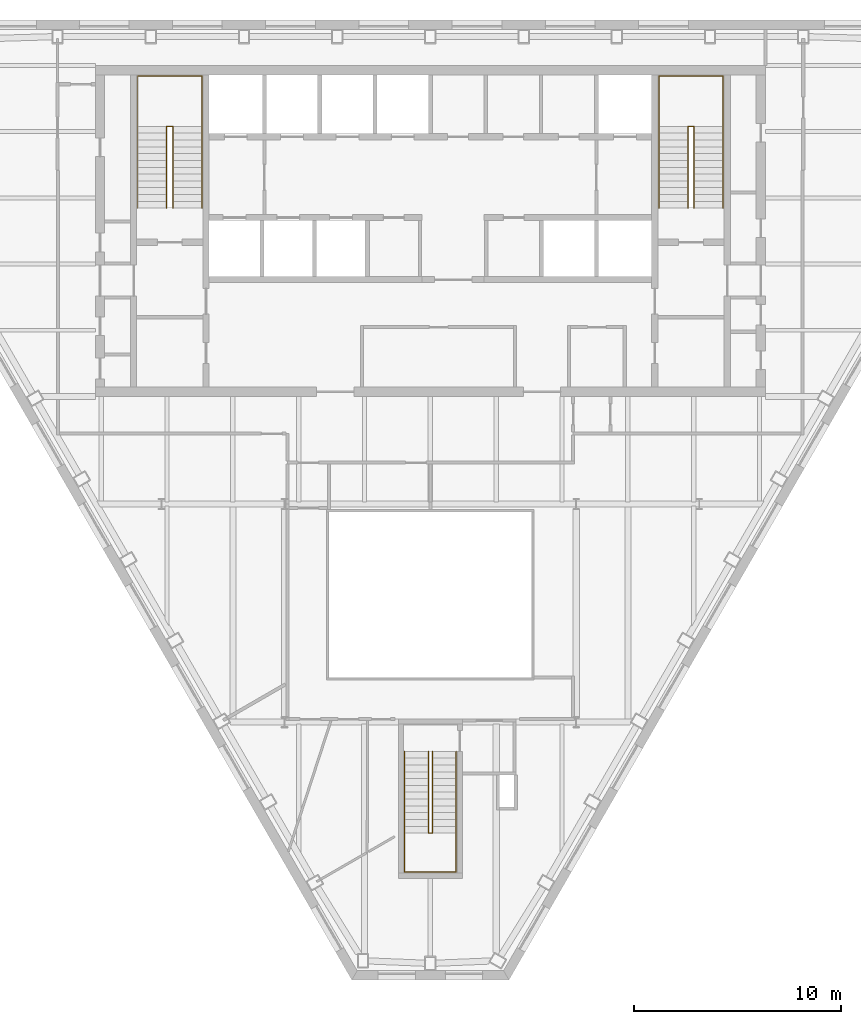
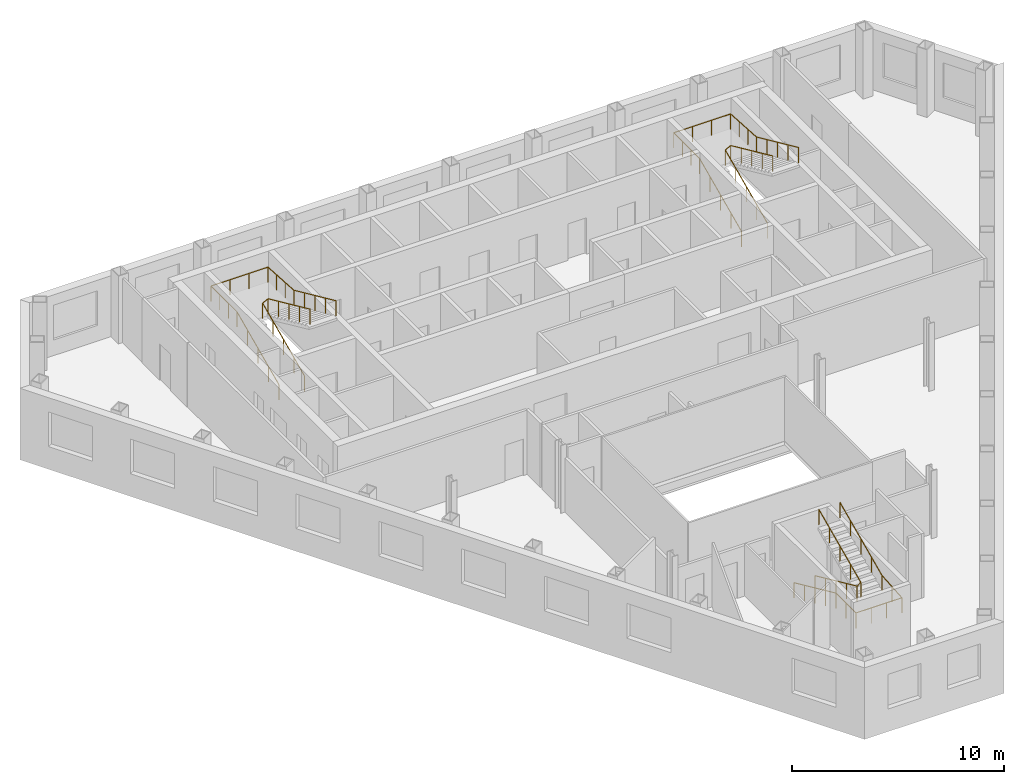
# One storey, part 10 of 10: 6 railings.
"""IFC4 building model written with IfcOpenShell, lengths in metres."""

from ifc_helpers import new_model, si_unit, direction, frame, origin, origin_2d, place, context, subcontext, project, spatial, circle, extrude, material, type_object, element, save


model = new_model("IFC4")

# Units and contexts
model_context = context("Model", 3, precision=1e-05, world=origin(), true_north=direction((0.0, 1.0)))
body_context = subcontext(model_context, "Body", "Model", "MODEL_VIEW")
ifc_project = project(units=[si_unit("LENGTHUNIT", "METRE"), si_unit("AREAUNIT", "SQUARE_METRE"), si_unit("VOLUMEUNIT", "CUBIC_METRE"), si_unit("PLANEANGLEUNIT", "RADIAN"), si_unit("MASSUNIT", "GRAM", prefix="KILO")], contexts=[model_context])

# Site, building, storey
site_placement = place(None, origin())
site = spatial("IfcSite", under=ifc_project, at=site_placement, CompositionType="ELEMENT")
building_placement = place(site_placement, origin())
building = spatial("IfcBuilding", under=site, at=building_placement, Name="Njiva Tower", CompositionType="ELEMENT")
storey_placement = place(building_placement, frame((0.0, 0.0, 200.4)))
storey = spatial("IfcBuildingStorey", under=building, at=storey_placement, Name="L44", CompositionType="ELEMENT", Elevation=200.4)

# Railings
ifc_material = material(Name="Stainless steel", Category="steel")
railing_type = type_object("IfcRailingType", Name="RL1 Stair handrail 900", PredefinedType="HANDRAIL", material=ifc_material)
railing_1_placement = place(storey_placement, frame((-14.15, 11.1, 0.15)))
element("IfcRailing", 1, at=railing_1_placement, inside=storey, type_object=railing_type, Name="Stair A handrail", PredefinedType="HANDRAIL", context=body_context, shape_type="SweptSolid", body=[
    extrude(circle(Radius=0.024, at=origin_2d()), frame((0.0, 0.0, 0.876), z_axis=(0.0, 0.910366477463, 0.413802944301), x_axis=(-1.0, 0.0, 0.0)), (0.0, 0.0, 1.0), 4.3499),
    extrude(circle(Radius=0.024, at=origin_2d()), frame((0.0, 3.96, 2.676), z_axis=(0.0, 1.0, 0.0), x_axis=(-1.0, 0.0, 0.0)), (0.0, 0.0, 1.0), 2.44),
    extrude(circle(Radius=0.024, at=origin_2d()), frame((0.0, 6.4, 2.676), z_axis=(1.0, 0.0, 0.0), x_axis=(0.0, 1.0, 0.0)), (0.0, 0.0, 1.0), 3.1),
    extrude(circle(Radius=0.024, at=origin_2d()), frame((3.1, 6.4, 2.676), z_axis=(0.0, -0.998115726137, 0.061359573328), x_axis=(1.0, 0.0, 0.0)), (0.0, 0.0, 1.0), 2.4446),
    extrude(circle(Radius=0.024, at=origin_2d()), frame((3.1, 3.96, 2.826), z_axis=(0.0, -0.910366477463, 0.413802944301), x_axis=(1.0, 0.0, 0.0)), (0.0, 0.0, 1.0), 4.3499),
    extrude(circle(Radius=0.021, at=origin_2d()), origin(), (0.0, 0.0, 1.0), 0.852),
    extrude(circle(Radius=0.021, at=origin_2d()), frame((0.0, 0.99, 0.45)), (0.0, 0.0, 1.0), 0.852),
    extrude(circle(Radius=0.021, at=origin_2d()), frame((0.0, 1.98, 0.9)), (0.0, 0.0, 1.0), 0.852),
    extrude(circle(Radius=0.021, at=origin_2d()), frame((0.0, 2.97, 1.35)), (0.0, 0.0, 1.0), 0.852),
    extrude(circle(Radius=0.021, at=origin_2d()), frame((0.0, 3.96, 1.8)), (0.0, 0.0, 1.0), 0.852),
    extrude(circle(Radius=0.021, at=origin_2d()), frame((0.0, 4.7733, 1.8)), (0.0, 0.0, 1.0), 0.852),
    extrude(circle(Radius=0.021, at=origin_2d()), frame((0.0, 5.5867, 1.8)), (0.0, 0.0, 1.0), 0.852),
    extrude(circle(Radius=0.021, at=origin_2d()), frame((0.0, 6.4, 1.8)), (0.0, 0.0, 1.0), 0.852),
    extrude(circle(Radius=0.021, at=origin_2d()), frame((1.0333, 6.4, 1.8)), (0.0, 0.0, 1.0), 0.852),
    extrude(circle(Radius=0.021, at=origin_2d()), frame((2.0667, 6.4, 1.8)), (0.0, 0.0, 1.0), 0.852),
    extrude(circle(Radius=0.021, at=origin_2d()), frame((3.1, 6.4, 1.8)), (0.0, 0.0, 1.0), 0.852),
    extrude(circle(Radius=0.021, at=origin_2d()), frame((3.1, 5.5867, 1.85)), (0.0, 0.0, 1.0), 0.852),
    extrude(circle(Radius=0.021, at=origin_2d()), frame((3.1, 4.7733, 1.9)), (0.0, 0.0, 1.0), 0.852),
    extrude(circle(Radius=0.021, at=origin_2d()), frame((3.1, 3.96, 1.95)), (0.0, 0.0, 1.0), 0.852),
    extrude(circle(Radius=0.021, at=origin_2d()), frame((3.1, 2.97, 2.4)), (0.0, 0.0, 1.0), 0.852),
    extrude(circle(Radius=0.021, at=origin_2d()), frame((3.1, 1.98, 2.85)), (0.0, 0.0, 1.0), 0.852),
    extrude(circle(Radius=0.021, at=origin_2d()), frame((3.1, 0.99, 3.3)), (0.0, 0.0, 1.0), 0.852),
    extrude(circle(Radius=0.021, at=origin_2d()), frame((3.1, 0.0, 3.75)), (0.0, 0.0, 1.0), 0.852),
])
railing_2_placement = place(storey_placement, frame((-12.75, 11.1, 0.15)))
element("IfcRailing", 2, at=railing_2_placement, inside=storey, type_object=railing_type, Name="Stair A handrail", PredefinedType="HANDRAIL", context=body_context, shape_type="SweptSolid", body=[
    extrude(circle(Radius=0.024, at=origin_2d()), frame((0.0, 0.0, 0.876), z_axis=(0.0, 0.910366477463, 0.413802944301), x_axis=(-1.0, 0.0, 0.0)), (0.0, 0.0, 1.0), 4.3499),
    extrude(circle(Radius=0.024, at=origin_2d()), frame((0.0, 3.96, 2.676), z_axis=(0.894427191, 0.0, 0.4472135955), x_axis=(0.0, 1.0, 0.0)), (0.0, 0.0, 1.0), 0.3354),
    extrude(circle(Radius=0.024, at=origin_2d()), frame((0.3, 3.96, 2.826), z_axis=(0.0, -0.910366477463, 0.413802944301), x_axis=(1.0, 0.0, 0.0)), (0.0, 0.0, 1.0), 4.3499),
    extrude(circle(Radius=0.021, at=origin_2d()), origin(), (0.0, 0.0, 1.0), 0.852),
    extrude(circle(Radius=0.021, at=origin_2d()), frame((0.0, 0.99, 0.45)), (0.0, 0.0, 1.0), 0.852),
    extrude(circle(Radius=0.021, at=origin_2d()), frame((0.0, 1.98, 0.9)), (0.0, 0.0, 1.0), 0.852),
    extrude(circle(Radius=0.021, at=origin_2d()), frame((0.0, 2.97, 1.35)), (0.0, 0.0, 1.0), 0.852),
    extrude(circle(Radius=0.021, at=origin_2d()), frame((0.0, 3.96, 1.8)), (0.0, 0.0, 1.0), 0.852),
    extrude(circle(Radius=0.021, at=origin_2d()), frame((0.3, 3.96, 1.95)), (0.0, 0.0, 1.0), 0.852),
    extrude(circle(Radius=0.021, at=origin_2d()), frame((0.3, 2.97, 2.4)), (0.0, 0.0, 1.0), 0.852),
    extrude(circle(Radius=0.021, at=origin_2d()), frame((0.3, 1.98, 2.85)), (0.0, 0.0, 1.0), 0.852),
    extrude(circle(Radius=0.021, at=origin_2d()), frame((0.3, 0.99, 3.3)), (0.0, 0.0, 1.0), 0.852),
    extrude(circle(Radius=0.021, at=origin_2d()), frame((0.3, 0.0, 3.75)), (0.0, 0.0, 1.0), 0.852),
])
railing_3_placement = place(storey_placement, frame((11.05, 11.1, 0.15)))
element("IfcRailing", 3, at=railing_3_placement, inside=storey, type_object=railing_type, Name="Stair B handrail", PredefinedType="HANDRAIL", context=body_context, shape_type="SweptSolid", body=[
    extrude(circle(Radius=0.024, at=origin_2d()), frame((0.0, 0.0, 0.876), z_axis=(0.0, 0.910366477463, 0.413802944301), x_axis=(-1.0, 0.0, 0.0)), (0.0, 0.0, 1.0), 4.3499),
    extrude(circle(Radius=0.024, at=origin_2d()), frame((0.0, 3.96, 2.676), z_axis=(0.0, 1.0, 0.0), x_axis=(-1.0, 0.0, 0.0)), (0.0, 0.0, 1.0), 2.44),
    extrude(circle(Radius=0.024, at=origin_2d()), frame((0.0, 6.4, 2.676), z_axis=(1.0, 0.0, 0.0), x_axis=(0.0, 1.0, 0.0)), (0.0, 0.0, 1.0), 3.1),
    extrude(circle(Radius=0.024, at=origin_2d()), frame((3.1, 6.4, 2.676), z_axis=(0.0, -0.998115726137, 0.061359573328), x_axis=(1.0, 0.0, 0.0)), (0.0, 0.0, 1.0), 2.4446),
    extrude(circle(Radius=0.024, at=origin_2d()), frame((3.1, 3.96, 2.826), z_axis=(0.0, -0.910366477463, 0.413802944301), x_axis=(1.0, 0.0, 0.0)), (0.0, 0.0, 1.0), 4.3499),
    extrude(circle(Radius=0.021, at=origin_2d()), origin(), (0.0, 0.0, 1.0), 0.852),
    extrude(circle(Radius=0.021, at=origin_2d()), frame((0.0, 0.99, 0.45)), (0.0, 0.0, 1.0), 0.852),
    extrude(circle(Radius=0.021, at=origin_2d()), frame((0.0, 1.98, 0.9)), (0.0, 0.0, 1.0), 0.852),
    extrude(circle(Radius=0.021, at=origin_2d()), frame((0.0, 2.97, 1.35)), (0.0, 0.0, 1.0), 0.852),
    extrude(circle(Radius=0.021, at=origin_2d()), frame((0.0, 3.96, 1.8)), (0.0, 0.0, 1.0), 0.852),
    extrude(circle(Radius=0.021, at=origin_2d()), frame((0.0, 4.7733, 1.8)), (0.0, 0.0, 1.0), 0.852),
    extrude(circle(Radius=0.021, at=origin_2d()), frame((0.0, 5.5867, 1.8)), (0.0, 0.0, 1.0), 0.852),
    extrude(circle(Radius=0.021, at=origin_2d()), frame((0.0, 6.4, 1.8)), (0.0, 0.0, 1.0), 0.852),
    extrude(circle(Radius=0.021, at=origin_2d()), frame((1.0333, 6.4, 1.8)), (0.0, 0.0, 1.0), 0.852),
    extrude(circle(Radius=0.021, at=origin_2d()), frame((2.0667, 6.4, 1.8)), (0.0, 0.0, 1.0), 0.852),
    extrude(circle(Radius=0.021, at=origin_2d()), frame((3.1, 6.4, 1.8)), (0.0, 0.0, 1.0), 0.852),
    extrude(circle(Radius=0.021, at=origin_2d()), frame((3.1, 5.5867, 1.85)), (0.0, 0.0, 1.0), 0.852),
    extrude(circle(Radius=0.021, at=origin_2d()), frame((3.1, 4.7733, 1.9)), (0.0, 0.0, 1.0), 0.852),
    extrude(circle(Radius=0.021, at=origin_2d()), frame((3.1, 3.96, 1.95)), (0.0, 0.0, 1.0), 0.852),
    extrude(circle(Radius=0.021, at=origin_2d()), frame((3.1, 2.97, 2.4)), (0.0, 0.0, 1.0), 0.852),
    extrude(circle(Radius=0.021, at=origin_2d()), frame((3.1, 1.98, 2.85)), (0.0, 0.0, 1.0), 0.852),
    extrude(circle(Radius=0.021, at=origin_2d()), frame((3.1, 0.99, 3.3)), (0.0, 0.0, 1.0), 0.852),
    extrude(circle(Radius=0.021, at=origin_2d()), frame((3.1, 0.0, 3.75)), (0.0, 0.0, 1.0), 0.852),
])
railing_4_placement = place(storey_placement, frame((12.45, 11.1, 0.15)))
element("IfcRailing", 4, at=railing_4_placement, inside=storey, type_object=railing_type, Name="Stair B handrail", PredefinedType="HANDRAIL", context=body_context, shape_type="SweptSolid", body=[
    extrude(circle(Radius=0.024, at=origin_2d()), frame((0.0, 0.0, 0.876), z_axis=(0.0, 0.910366477463, 0.413802944301), x_axis=(-1.0, 0.0, 0.0)), (0.0, 0.0, 1.0), 4.3499),
    extrude(circle(Radius=0.024, at=origin_2d()), frame((0.0, 3.96, 2.676), z_axis=(0.894427191, 0.0, 0.4472135955), x_axis=(0.0, 1.0, 0.0)), (0.0, 0.0, 1.0), 0.3354),
    extrude(circle(Radius=0.024, at=origin_2d()), frame((0.3, 3.96, 2.826), z_axis=(0.0, -0.910366477463, 0.413802944301), x_axis=(1.0, 0.0, 0.0)), (0.0, 0.0, 1.0), 4.3499),
    extrude(circle(Radius=0.021, at=origin_2d()), origin(), (0.0, 0.0, 1.0), 0.852),
    extrude(circle(Radius=0.021, at=origin_2d()), frame((0.0, 0.99, 0.45)), (0.0, 0.0, 1.0), 0.852),
    extrude(circle(Radius=0.021, at=origin_2d()), frame((0.0, 1.98, 0.9)), (0.0, 0.0, 1.0), 0.852),
    extrude(circle(Radius=0.021, at=origin_2d()), frame((0.0, 2.97, 1.35)), (0.0, 0.0, 1.0), 0.852),
    extrude(circle(Radius=0.021, at=origin_2d()), frame((0.0, 3.96, 1.8)), (0.0, 0.0, 1.0), 0.852),
    extrude(circle(Radius=0.021, at=origin_2d()), frame((0.3, 3.96, 1.95)), (0.0, 0.0, 1.0), 0.852),
    extrude(circle(Radius=0.021, at=origin_2d()), frame((0.3, 2.97, 2.4)), (0.0, 0.0, 1.0), 0.852),
    extrude(circle(Radius=0.021, at=origin_2d()), frame((0.3, 1.98, 2.85)), (0.0, 0.0, 1.0), 0.852),
    extrude(circle(Radius=0.021, at=origin_2d()), frame((0.3, 0.99, 3.3)), (0.0, 0.0, 1.0), 0.852),
    extrude(circle(Radius=0.021, at=origin_2d()), frame((0.3, 0.0, 3.75)), (0.0, 0.0, 1.0), 0.852),
])
railing_5_placement = place(storey_placement, frame((-1.25, -15.16, 0.15)))
element("IfcRailing", 5, at=railing_5_placement, inside=storey, type_object=railing_type, Name="Stair C handrail", PredefinedType="HANDRAIL", context=body_context, shape_type="SweptSolid", body=[
    extrude(circle(Radius=0.024, at=origin_2d()), frame((0.0, 0.0, 0.876), z_axis=(0.0, -0.910366477463, 0.413802944301), x_axis=(1.0, 0.0, 0.0)), (0.0, 0.0, 1.0), 4.3499),
    extrude(circle(Radius=0.024, at=origin_2d()), frame((0.0, -3.96, 2.676), z_axis=(0.0, -1.0, 0.0), x_axis=(1.0, 0.0, 0.0)), (0.0, 0.0, 1.0), 1.88),
    extrude(circle(Radius=0.024, at=origin_2d()), frame((0.0, -5.84, 2.676), z_axis=(1.0, 0.0, 0.0), x_axis=(0.0, 1.0, 0.0)), (0.0, 0.0, 1.0), 2.5),
    extrude(circle(Radius=0.024, at=origin_2d()), frame((2.5, -5.84, 2.676), z_axis=(0.0, 0.996832115713, 0.079534477318), x_axis=(-1.0, 0.0, 0.0)), (0.0, 0.0, 1.0), 1.886),
    extrude(circle(Radius=0.024, at=origin_2d()), frame((2.5, -3.96, 2.826), z_axis=(0.0, 0.910366477463, 0.413802944301), x_axis=(-1.0, 0.0, 0.0)), (0.0, 0.0, 1.0), 4.3499),
    extrude(circle(Radius=0.021, at=origin_2d()), origin(), (0.0, 0.0, 1.0), 0.852),
    extrude(circle(Radius=0.021, at=origin_2d()), frame((0.0, -0.99, 0.45)), (0.0, 0.0, 1.0), 0.852),
    extrude(circle(Radius=0.021, at=origin_2d()), frame((0.0, -1.98, 0.9)), (0.0, 0.0, 1.0), 0.852),
    extrude(circle(Radius=0.021, at=origin_2d()), frame((0.0, -2.97, 1.35)), (0.0, 0.0, 1.0), 0.852),
    extrude(circle(Radius=0.021, at=origin_2d()), frame((0.0, -3.96, 1.8)), (0.0, 0.0, 1.0), 0.852),
    extrude(circle(Radius=0.021, at=origin_2d()), frame((0.0, -4.9, 1.8)), (0.0, 0.0, 1.0), 0.852),
    extrude(circle(Radius=0.021, at=origin_2d()), frame((0.0, -5.84, 1.8)), (0.0, 0.0, 1.0), 0.852),
    extrude(circle(Radius=0.021, at=origin_2d()), frame((0.8333, -5.84, 1.8)), (0.0, 0.0, 1.0), 0.852),
    extrude(circle(Radius=0.021, at=origin_2d()), frame((1.6667, -5.84, 1.8)), (0.0, 0.0, 1.0), 0.852),
    extrude(circle(Radius=0.021, at=origin_2d()), frame((2.5, -5.84, 1.8)), (0.0, 0.0, 1.0), 0.852),
    extrude(circle(Radius=0.021, at=origin_2d()), frame((2.5, -4.9, 1.875)), (0.0, 0.0, 1.0), 0.852),
    extrude(circle(Radius=0.021, at=origin_2d()), frame((2.5, -3.96, 1.95)), (0.0, 0.0, 1.0), 0.852),
    extrude(circle(Radius=0.021, at=origin_2d()), frame((2.5, -2.97, 2.4)), (0.0, 0.0, 1.0), 0.852),
    extrude(circle(Radius=0.021, at=origin_2d()), frame((2.5, -1.98, 2.85)), (0.0, 0.0, 1.0), 0.852),
    extrude(circle(Radius=0.021, at=origin_2d()), frame((2.5, -0.99, 3.3)), (0.0, 0.0, 1.0), 0.852),
    extrude(circle(Radius=0.021, at=origin_2d()), frame((2.5, 0.0, 3.75)), (0.0, 0.0, 1.0), 0.852),
])
railing_6_placement = place(storey_placement, frame((-0.1, -15.16, 0.15)))
element("IfcRailing", 6, at=railing_6_placement, inside=storey, type_object=railing_type, Name="Stair C handrail", PredefinedType="HANDRAIL", context=body_context, shape_type="SweptSolid", body=[
    extrude(circle(Radius=0.024, at=origin_2d()), frame((0.0, 0.0, 0.876), z_axis=(0.0, -0.910366477463, 0.413802944301), x_axis=(1.0, 0.0, 0.0)), (0.0, 0.0, 1.0), 4.3499),
    extrude(circle(Radius=0.024, at=origin_2d()), frame((0.0, -3.96, 2.676), z_axis=(0.8, 0.0, 0.6), x_axis=(0.0, 1.0, 0.0)), (0.0, 0.0, 1.0), 0.25),
    extrude(circle(Radius=0.024, at=origin_2d()), frame((0.2, -3.96, 2.826), z_axis=(0.0, 0.910366477463, 0.413802944301), x_axis=(-1.0, 0.0, 0.0)), (0.0, 0.0, 1.0), 4.3499),
    extrude(circle(Radius=0.021, at=origin_2d()), origin(), (0.0, 0.0, 1.0), 0.852),
    extrude(circle(Radius=0.021, at=origin_2d()), frame((0.0, -0.99, 0.45)), (0.0, 0.0, 1.0), 0.852),
    extrude(circle(Radius=0.021, at=origin_2d()), frame((0.0, -1.98, 0.9)), (0.0, 0.0, 1.0), 0.852),
    extrude(circle(Radius=0.021, at=origin_2d()), frame((0.0, -2.97, 1.35)), (0.0, 0.0, 1.0), 0.852),
    extrude(circle(Radius=0.021, at=origin_2d()), frame((0.0, -3.96, 1.8)), (0.0, 0.0, 1.0), 0.852),
    extrude(circle(Radius=0.021, at=origin_2d()), frame((0.2, -3.96, 1.95)), (0.0, 0.0, 1.0), 0.852),
    extrude(circle(Radius=0.021, at=origin_2d()), frame((0.2, -2.97, 2.4)), (0.0, 0.0, 1.0), 0.852),
    extrude(circle(Radius=0.021, at=origin_2d()), frame((0.2, -1.98, 2.85)), (0.0, 0.0, 1.0), 0.852),
    extrude(circle(Radius=0.021, at=origin_2d()), frame((0.2, -0.99, 3.3)), (0.0, 0.0, 1.0), 0.852),
    extrude(circle(Radius=0.021, at=origin_2d()), frame((0.2, 0.0, 3.75)), (0.0, 0.0, 1.0), 0.852),
])

save(model, "model.ifc")
